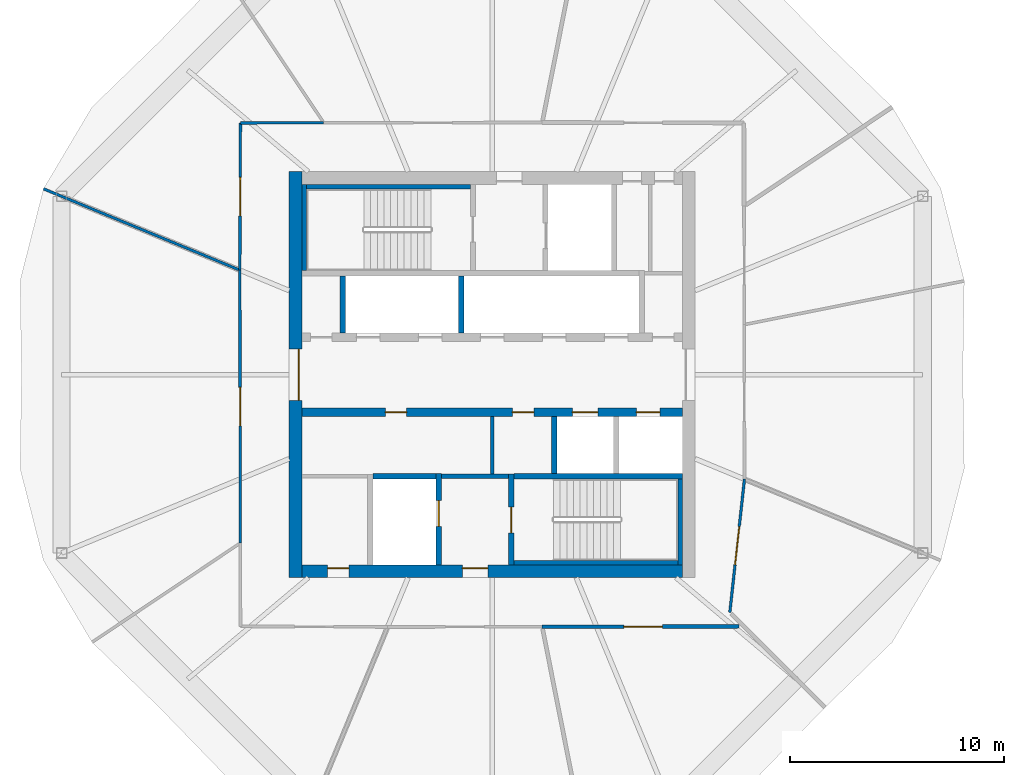
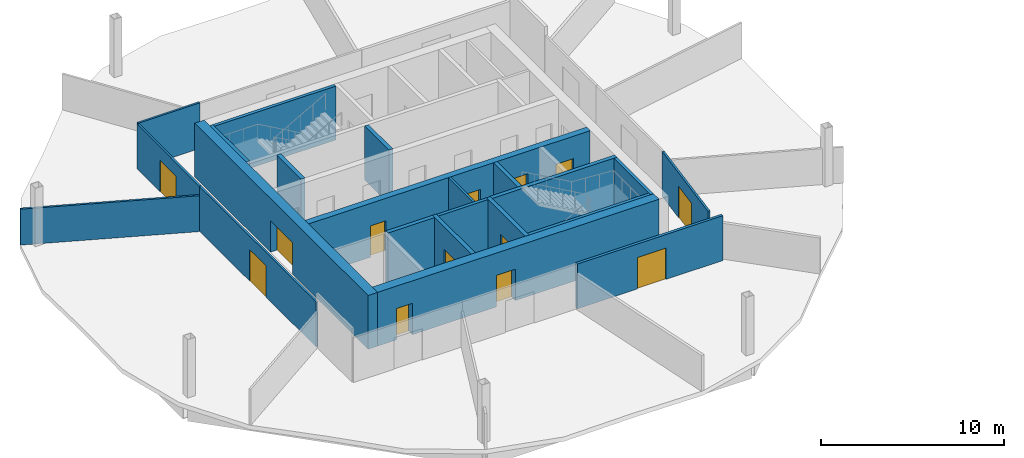
# One storey, part 5 of 10: 22 walls, 13 doors, 13 openings.
"""IFC4 building model written with IfcOpenShell, lengths in metres."""

from ifc_helpers import new_model, si_unit, direction, frame, frame_2d, origin, place, context, subcontext, project, spatial, rectangle, extrude, material, layer, layer_set, type_object, element, fill, save


model = new_model("IFC4")

# Units and contexts
model_context = context("Model", 3, precision=1e-05, world=origin(), true_north=direction((0.0, 1.0)))
body_context = subcontext(model_context, "Body", "Model", "MODEL_VIEW")
ifc_project = project(units=[si_unit("LENGTHUNIT", "METRE"), si_unit("AREAUNIT", "SQUARE_METRE"), si_unit("VOLUMEUNIT", "CUBIC_METRE"), si_unit("PLANEANGLEUNIT", "RADIAN"), si_unit("MASSUNIT", "GRAM", prefix="KILO")], contexts=[model_context])

# Site, building, storey
site_placement = place(None, origin())
site = spatial("IfcSite", under=ifc_project, at=site_placement, CompositionType="ELEMENT")
building_placement = place(site_placement, origin())
building = spatial("IfcBuilding", under=site, at=building_placement, Name="Ogive Gate Towers", CompositionType="ELEMENT")
storey_placement = place(building_placement, frame((0.0, 0.0, 173.39990234375)))
storey = spatial("IfcBuildingStorey", under=building, at=storey_placement, Name="L41", CompositionType="ELEMENT", Elevation=173.39990234375)

# Wall, opening, door
ifc_material_1 = material(Name="Gypsum board acoustic partition")
ifc_layer_1 = layer(ifc_material_1, 0.175048828125)
ifc_layer_set_1 = layer_set([ifc_layer_1], Name="Acoustic partition 175")
wall_type_1 = type_object("IfcWallType", Name="Acoustic partition 175", PredefinedType="PARTITIONING", material=ifc_layer_set_1)
wall_1_placement = place(storey_placement, frame((-33.656982421875, -11.80029296875, 0.0), z_axis=(0.0, 0.0, 1.0), x_axis=(0.999997698004, 0.002145690425, 0.0)))
wall_1 = element("IfcWall", 1, at=wall_1_placement, inside=storey, type_object=wall_type_1, Name="Partition T1-L41-018", PredefinedType="PARTITIONING", context=body_context, shape_type="SweptSolid", body=[
    extrude(rectangle(XDim=9.21630859375, YDim=0.175048828125, at=frame_2d((4.608154296875, 0.0))), origin(), (0.0, 0.0, 1.0), 3.0),
])
opening_1_placement = place(wall_1_placement, frame((3.819091796875, 0.0, 0.0)))
opening_1 = element("IfcOpeningElement", 2, at=opening_1_placement, cuts=wall_1, Name="Opening T1-L41-D06", PredefinedType="OPENING", context=body_context, shape_type="SweptSolid", body=[
    extrude(rectangle(XDim=1.800048828125, YDim=2.10009765625, at=frame_2d((0.89990234375, 1.050048828125))), frame((0.0, 0.09765625, 0.0), z_axis=(0.0, -1.0, 0.0), x_axis=(1.0, 0.0, 0.0)), (0.0, 0.0, 1.0), 0.195068359375),
])
ifc_material_2 = material(Name="Timber door", Category="wood")
door_type_1 = type_object("IfcDoorType", Name="Door pair 1800", OperationType="NOTDEFINED", PredefinedType="DOOR", material=ifc_material_2)
door_1_placement = place(opening_1_placement, origin())
door_1 = element("IfcDoor", 3, at=door_1_placement, inside=storey, type_object=door_type_1, Name="Door T1-L41-D06", OperationType="DOUBLE_DOOR_DOUBLE_SWING", OverallHeight=2.10009765625, OverallWidth=1.800048828125, PredefinedType="DOOR", context=body_context, shape_type="SweptSolid", body=[
    extrude(rectangle(XDim=1.800048828125, YDim=2.10009765625, at=frame_2d((0.89990234375, 1.050048828125))), frame((0.0, 0.02490234375, 0.0), z_axis=(0.0, -1.0, 0.0), x_axis=(1.0, 0.0, 0.0)), (0.0, 0.0, 1.0), 0.050048828125),
])
fill(opening_1, door_1)

# Wall
ifc_material_3 = material(Name="Masonry blockwork", Category="masonry")
ifc_layer_2 = layer(ifc_material_3, 0.199951171875)
ifc_layer_set_2 = layer_set([ifc_layer_2], Name="Blockwork wall 200 mm")
wall_type_2 = type_object("IfcWallType", Name="Blockwork wall 200 mm", PredefinedType="PARTITIONING", material=ifc_layer_set_2)
wall_2_placement = place(storey_placement, frame((-38.375, -4.75, 0.0), z_axis=(0.0, 0.0, 1.0), x_axis=(1.0, 0.0, 0.0)))
element("IfcWall", 4, at=wall_2_placement, inside=storey, type_object=wall_type_2, Name="T1 L41 Blockwork wall 200 mm", PredefinedType="PARTITIONING", context=body_context, shape_type="SweptSolid", body=[
    extrude(rectangle(XDim=3.14990234375, YDim=0.199951171875, at=frame_2d((1.574951171875, 0.0))), origin(), (0.0, 0.0, 1.0), 3.60009765625),
])

# Wall, openings, doors
ifc_material_4 = material(Name="Concrete C60/75", Category="concrete")
ifc_layer_3 = layer(ifc_material_4, 0.60009765625)
ifc_layer_set_3 = layer_set([ifc_layer_3], Name="Core wall 600 mm")
wall_type_3 = type_object("IfcWallType", Name="Core wall 600 mm", PredefinedType="SHEAR", material=ifc_layer_set_3)
wall_3_placement = place(storey_placement, frame((-44.89990234375, -9.199951171875, 0.0), z_axis=(0.0, 0.0, 1.0), x_axis=(1.0, 0.0, 0.0)))
wall_3 = element("IfcWall", 5, at=wall_3_placement, inside=storey, type_object=wall_type_3, Name="T1 L41 Core wall 600 mm", PredefinedType="SHEAR", context=body_context, shape_type="SweptSolid", body=[
    extrude(rectangle(XDim=17.7998046875, YDim=0.60009765625, at=frame_2d((8.89990234375, 0.0))), origin(), (0.0, 0.0, 1.0), 3.60009765625),
])
opening_2_placement = place(wall_3_placement, frame((7.5, 0.0, 0.0)))
opening_2 = element("IfcOpeningElement", 6, at=opening_2_placement, cuts=wall_3, Name="Opening KD-T1-L41-19", PredefinedType="OPENING", context=body_context, shape_type="SweptSolid", body=[
    extrude(rectangle(XDim=1.199951171875, YDim=2.10009765625, at=frame_2d((0.60009765625, 1.050048828125))), frame((0.0, 0.31005859375, 0.0), z_axis=(0.0, -1.0, 0.0), x_axis=(1.0, 0.0, 0.0)), (0.0, 0.0, 1.0), 0.6201171875),
])
opening_3_placement = place(wall_3_placement, frame((1.199951171875, 0.0, 0.0)))
opening_3 = element("IfcOpeningElement", 7, at=opening_3_placement, cuts=wall_3, Name="Opening KD-T1-L41-22", PredefinedType="OPENING", context=body_context, shape_type="SweptSolid", body=[
    extrude(rectangle(XDim=1.0, YDim=2.10009765625, at=frame_2d((0.5, 1.050048828125))), frame((0.0, 0.31005859375, 0.0), z_axis=(0.0, -1.0, 0.0), x_axis=(1.0, 0.0, 0.0)), (0.0, 0.0, 1.0), 0.6201171875),
])
door_type_2 = type_object("IfcDoorType", Name="Accessible WC door 1000 x 2100", OperationType="NOTDEFINED", PredefinedType="DOOR", material=ifc_material_2)
door_2_placement = place(opening_3_placement, origin())
door_2 = element("IfcDoor", 8, at=door_2_placement, inside=storey, type_object=door_type_2, Name="T1 L41 Core door", OperationType="SINGLE_SWING_LEFT", OverallHeight=2.10009765625, OverallWidth=1.0, PredefinedType="DOOR", context=body_context, shape_type="SweptSolid", body=[
    extrude(rectangle(XDim=1.0, YDim=2.10009765625, at=frame_2d((0.5, 1.050048828125))), frame((0.0, 0.1748046875, 0.0), z_axis=(0.0, -1.0, 0.0), x_axis=(1.0, 0.0, 0.0)), (0.0, 0.0, 1.0), 0.050048828125),
])
fill(opening_3, door_2)
ifc_material_5 = material(Name="Steel fire door", Category="steel")
door_type_3 = type_object("IfcDoorType", Name="Core door FD60S 1200 x 2100", OperationType="NOTDEFINED", PredefinedType="DOOR", material=ifc_material_5)
door_3_placement = place(opening_2_placement, origin())
door_3 = element("IfcDoor", 9, at=door_3_placement, inside=storey, type_object=door_type_3, Name="T1 L41 Fire-fighting lobby door", OperationType="SINGLE_SWING_RIGHT", OverallHeight=2.10009765625, OverallWidth=1.199951171875, PredefinedType="DOOR", context=body_context, shape_type="SweptSolid", body=[
    extrude(rectangle(XDim=1.199951171875, YDim=2.10009765625, at=frame_2d((0.60009765625, 1.050048828125))), frame((0.0, 0.1748046875, 0.0), z_axis=(0.0, -1.0, 0.0), x_axis=(1.0, 0.0, 0.0)), (0.0, 0.0, 1.0), 0.050048828125),
])
fill(opening_2, door_3)

# Wall, opening, door
wall_4_placement = place(storey_placement, frame((-45.199951171875, -9.5, 0.0), z_axis=(0.0, 0.0, 1.0), x_axis=(0.0, 1.0, 0.0)))
wall_4 = element("IfcWall", 10, at=wall_4_placement, inside=storey, type_object=wall_type_3, Name="T1 L41 Core wall 600 mm", PredefinedType="SHEAR", context=body_context, shape_type="SweptSolid", body=[
    extrude(rectangle(XDim=19.0, YDim=0.60009765625, at=frame_2d((9.5, 0.0))), origin(), (0.0, 0.0, 1.0), 3.60009765625),
])
opening_4_placement = place(wall_4_placement, frame((8.300048828125, 0.0, 0.0)))
opening_4 = element("IfcOpeningElement", 11, at=opening_4_placement, cuts=wall_4, Name="Opening KD-T1-L41-01", PredefinedType="OPENING", context=body_context, shape_type="SweptSolid", body=[
    extrude(rectangle(XDim=2.39990234375, YDim=2.10009765625, at=frame_2d((1.199951171875, 1.050048828125))), frame((0.0, 0.31005859375, 0.0), z_axis=(0.0, -1.0, 0.0), x_axis=(1.0, 0.0, 0.0)), (0.0, 0.0, 1.0), 0.6201171875),
])
door_type_4 = type_object("IfcDoorType", Name="Core double door FD60S 2400 x 2100", OperationType="DOUBLE_DOOR_SINGLE_SWING", PredefinedType="DOOR", material=ifc_material_5)
door_4_placement = place(opening_4_placement, origin())
door_4 = element("IfcDoor", 12, at=door_4_placement, inside=storey, type_object=door_type_4, Name="T1 L41 Core door double", OperationType="DOUBLE_DOOR_SINGLE_SWING", OverallHeight=2.10009765625, OverallWidth=2.39990234375, PredefinedType="DOOR", context=body_context, shape_type="SweptSolid", body=[
    extrude(rectangle(XDim=2.39990234375, YDim=2.10009765625, at=frame_2d((1.199951171875, 1.050048828125))), frame((0.0, -0.125, 0.0), z_axis=(0.0, -1.0, 0.0), x_axis=(1.0, 0.0, 0.0)), (0.0, 0.0, 1.0), 0.050048828125),
])
fill(opening_4, door_4)

# Wall
ifc_material_6 = material(Name="Gypsum board partition")
ifc_layer_4 = layer(ifc_material_6, 0.125)
ifc_layer_set_4 = layer_set([ifc_layer_4], Name="Partition 125")
wall_type_4 = type_object("IfcWallType", Name="Partition 125", PredefinedType="PARTITIONING", material=ifc_layer_set_4)
wall_5_placement = place(storey_placement, frame((-56.999755859375, 8.698486328125, 0.0), z_axis=(0.0, 0.0, 1.0), x_axis=(0.923875671633, -0.382692753216, 0.0)))
element("IfcWall", 13, at=wall_5_placement, inside=storey, type_object=wall_type_4, Name="Partition T1-L41-005", PredefinedType="PARTITIONING", context=body_context, shape_type="SweptSolid", body=[
    extrude(rectangle(XDim=9.886474609375, YDim=0.125, at=frame_2d((4.943359375, 0.0))), origin(), (0.0, 0.0, 1.0), 2.400146484375),
])

# Wall, opening, door
wall_6_placement = place(storey_placement, frame((-47.780029296875, 11.780029296875, 0.0), z_axis=(0.0, 0.0, 1.0), x_axis=(-0.004075523441, -0.99999169502, 0.0)))
wall_6 = element("IfcWall", 14, at=wall_6_placement, inside=storey, type_object=wall_type_4, Name="Partition T1-L41-012", PredefinedType="PARTITIONING", context=body_context, shape_type="SweptSolid", body=[
    extrude(rectangle(XDim=6.888916015625, YDim=0.125, at=frame_2d((3.4443359375, 0.0))), origin(), (0.0, 0.0, 1.0), 3.0),
])
opening_5_placement = place(wall_6_placement, frame((2.5439453125, 0.0, 0.0)))
opening_5 = element("IfcOpeningElement", 15, at=opening_5_placement, cuts=wall_6, Name="Opening T1-L41-D02", PredefinedType="OPENING", context=body_context, shape_type="SweptSolid", body=[
    extrude(rectangle(XDim=1.800048828125, YDim=2.10009765625, at=frame_2d((0.89990234375, 1.050048828125))), frame((0.0, 0.072509765625, 0.0), z_axis=(0.0, -1.0, 0.0), x_axis=(1.0, 0.0, 0.0)), (0.0, 0.0, 1.0), 0.14501953125),
])
door_5_placement = place(opening_5_placement, origin())
door_5 = element("IfcDoor", 16, at=door_5_placement, inside=storey, type_object=door_type_1, Name="Door T1-L41-D02", OperationType="DOUBLE_DOOR_DOUBLE_SWING", OverallHeight=2.10009765625, OverallWidth=1.800048828125, PredefinedType="DOOR", context=body_context, shape_type="SweptSolid", body=[
    extrude(rectangle(XDim=1.800048828125, YDim=2.10009765625, at=frame_2d((0.89990234375, 1.050048828125))), frame((0.0, 0.02490234375, 0.0), z_axis=(0.0, -1.0, 0.0), x_axis=(1.0, 0.0, 0.0)), (0.0, 0.0, 1.0), 0.050048828125),
])
fill(opening_5, door_5)

# Wall
wall_7_placement = place(storey_placement, frame((-43.882568359375, 11.787841796875, 0.0), z_axis=(0.0, 0.0, 1.0), x_axis=(-0.999997990976, -0.002004506121, 0.0)))
element("IfcWall", 17, at=wall_7_placement, inside=storey, type_object=wall_type_4, Name="Partition T1-L41-013", PredefinedType="PARTITIONING", context=body_context, shape_type="SweptSolid", body=[
    extrude(rectangle(XDim=3.8974609375, YDim=0.125, at=frame_2d((1.94873046875, 0.0))), origin(), (0.0, 0.0, 1.0), 3.050048828125),
])

# Wall, opening, door
wall_8_placement = place(storey_placement, frame((-47.80810546875, 4.89111328125, 0.0), z_axis=(0.0, 0.0, 1.0), x_axis=(0.001586359121, -0.999998741732, 0.0)))
wall_8 = element("IfcWall", 18, at=wall_8_placement, inside=storey, type_object=wall_type_4, Name="Partition T1-L41-014", PredefinedType="PARTITIONING", context=body_context, shape_type="SweptSolid", body=[
    extrude(rectangle(XDim=12.773681640625, YDim=0.125, at=frame_2d((6.38671875, 0.0))), origin(), (0.0, 0.0, 1.0), 3.0),
])
opening_6_placement = place(wall_8_placement, frame((5.487060546875, 0.0, 0.0)))
opening_6 = element("IfcOpeningElement", 19, at=opening_6_placement, cuts=wall_8, Name="Opening T1-L41-D03", PredefinedType="OPENING", context=body_context, shape_type="SweptSolid", body=[
    extrude(rectangle(XDim=1.800048828125, YDim=2.10009765625, at=frame_2d((0.89990234375, 1.050048828125))), frame((0.0, 0.072509765625, 0.0), z_axis=(0.0, -1.0, 0.0), x_axis=(1.0, 0.0, 0.0)), (0.0, 0.0, 1.0), 0.14501953125),
])
door_6_placement = place(opening_6_placement, origin())
door_6 = element("IfcDoor", 20, at=door_6_placement, inside=storey, type_object=door_type_1, Name="Door T1-L41-D03", OperationType="DOUBLE_DOOR_DOUBLE_SWING", OverallHeight=2.10009765625, OverallWidth=1.800048828125, PredefinedType="DOOR", context=body_context, shape_type="SweptSolid", body=[
    extrude(rectangle(XDim=1.800048828125, YDim=2.10009765625, at=frame_2d((0.89990234375, 1.050048828125))), frame((0.0, 0.02490234375, 0.0), z_axis=(0.0, -1.0, 0.0), x_axis=(1.0, 0.0, 0.0)), (0.0, 0.0, 1.0), 0.050048828125),
])
fill(opening_6, door_6)

wall_9_placement = place(storey_placement, frame((-24.877197265625, -11.122802734375, 0.0), z_axis=(0.0, 0.0, 1.0), x_axis=(0.109311621404, 0.994007529864, 0.0)))
wall_9 = element("IfcWall", 21, at=wall_9_placement, inside=storey, type_object=wall_type_4, Name="Partition T1-L41-019", PredefinedType="PARTITIONING", context=body_context, shape_type="SweptSolid", body=[
    extrude(rectangle(XDim=6.269287109375, YDim=0.125, at=frame_2d((3.134765625, 0.0))), origin(), (0.0, 0.0, 1.0), 3.0),
])
opening_7_placement = place(wall_9_placement, frame((2.235107421875, 0.0, 0.0)))
opening_7 = element("IfcOpeningElement", 22, at=opening_7_placement, cuts=wall_9, Name="Opening T1-L41-D07", PredefinedType="OPENING", context=body_context, shape_type="SweptSolid", body=[
    extrude(rectangle(XDim=1.800048828125, YDim=2.10009765625, at=frame_2d((0.89990234375, 1.050048828125))), frame((0.0, 0.072509765625, 0.0), z_axis=(0.0, -1.0, 0.0), x_axis=(1.0, 0.0, 0.0)), (0.0, 0.0, 1.0), 0.14501953125),
])
door_7_placement = place(opening_7_placement, origin())
door_7 = element("IfcDoor", 23, at=door_7_placement, inside=storey, type_object=door_type_1, Name="Door T1-L41-D07", OperationType="DOUBLE_DOOR_DOUBLE_SWING", OverallHeight=2.10009765625, OverallWidth=1.800048828125, PredefinedType="DOOR", context=body_context, shape_type="SweptSolid", body=[
    extrude(rectangle(XDim=1.800048828125, YDim=2.10009765625, at=frame_2d((0.89990234375, 1.050048828125))), frame((0.0, 0.02490234375, 0.0), z_axis=(0.0, -1.0, 0.0), x_axis=(1.0, 0.0, 0.0)), (0.0, 0.0, 1.0), 0.050048828125),
])
fill(opening_7, door_7)

# Walls
ifc_layer_5 = layer(ifc_material_6, 0.14990234375)
ifc_layer_set_5 = layer_set([ifc_layer_5], Name="Room partition 150 mm")
wall_type_5 = type_object("IfcWallType", Name="Room partition 150 mm", PredefinedType="PARTITIONING", material=ifc_layer_set_5)
wall_10_placement = place(storey_placement, frame((-36.0, -4.64990234375, 0.0), z_axis=(0.0, 0.0, 1.0), x_axis=(0.0, 1.0, 0.0)))
element("IfcWall", 24, at=wall_10_placement, inside=storey, type_object=wall_type_5, Name="T1 L41 Room partition 150 mm", PredefinedType="PARTITIONING", context=body_context, shape_type="SweptSolid", body=[
    extrude(rectangle(XDim=2.699951171875, YDim=0.14990234375, at=frame_2d((1.35009765625, 0.0))), origin(), (0.0, 0.0, 1.0), 3.60009765625),
])
ifc_layer_6 = layer(ifc_material_4, 0.25)
ifc_layer_set_6 = layer_set([ifc_layer_6], Name="Shaft wall 250 mm")
wall_type_6 = type_object("IfcWallType", Name="Shaft wall 250 mm", PredefinedType="SHEAR", material=ifc_layer_set_6)
wall_11_placement = place(storey_placement, frame((-41.574951171875, -4.75, 0.0), z_axis=(0.0, 0.0, 1.0), x_axis=(1.0, 0.0, 0.0)))
element("IfcWall", 25, at=wall_11_placement, inside=storey, type_object=wall_type_6, Name="T1 L41 Shaft wall 250 mm", PredefinedType="SHEAR", context=body_context, shape_type="SweptSolid", body=[
    extrude(rectangle(XDim=2.949951171875, YDim=0.25, at=frame_2d((1.47509765625, 0.0))), origin(), (0.0, 0.0, 1.0), 3.60009765625),
])
wall_12_placement = place(storey_placement, frame((-34.97509765625, -4.75, 0.0), z_axis=(0.0, 0.0, 1.0), x_axis=(1.0, 0.0, 0.0)))
element("IfcWall", 26, at=wall_12_placement, inside=storey, type_object=wall_type_6, Name="T1 L41 Shaft wall 250 mm", PredefinedType="SHEAR", context=body_context, shape_type="SweptSolid", body=[
    extrude(rectangle(XDim=7.875, YDim=0.25, at=frame_2d((3.9375, 0.0))), origin(), (0.0, 0.0, 1.0), 3.60009765625),
])
wall_13_placement = place(storey_placement, frame((-43.0, 1.949951171875, 0.0), z_axis=(0.0, 0.0, 1.0), x_axis=(0.0, 1.0, 0.0)))
element("IfcWall", 27, at=wall_13_placement, inside=storey, type_object=wall_type_6, Name="T1 L41 Shaft wall 250 mm", PredefinedType="SHEAR", context=body_context, shape_type="SweptSolid", body=[
    extrude(rectangle(XDim=2.675048828125, YDim=0.25, at=frame_2d((1.33740234375, 0.0))), origin(), (0.0, 0.0, 1.0), 3.60009765625),
])

# Wall, opening, door
wall_14_placement = place(storey_placement, frame((-38.5, -8.89990234375, 0.0), z_axis=(0.0, 0.0, 1.0), x_axis=(0.0, 1.0, 0.0)))
wall_14 = element("IfcWall", 28, at=wall_14_placement, inside=storey, type_object=wall_type_6, Name="T1 L41 Shaft wall 250 mm", PredefinedType="SHEAR", context=body_context, shape_type="SweptSolid", body=[
    extrude(rectangle(XDim=4.27490234375, YDim=0.25, at=frame_2d((2.137451171875, 0.0))), origin(), (0.0, 0.0, 1.0), 3.60009765625),
])
opening_8_placement = place(wall_14_placement, frame((1.800048828125, 0.0, 0.0)))
opening_8 = element("IfcOpeningElement", 29, at=opening_8_placement, cuts=wall_14, Name="Opening LD-T1-L41-13", PredefinedType="OPENING", context=body_context, shape_type="SweptSolid", body=[
    extrude(rectangle(XDim=1.199951171875, YDim=2.10009765625, at=frame_2d((0.60009765625, 1.050048828125))), frame((0.0, 0.135009765625, 0.0), z_axis=(0.0, -1.0, 0.0), x_axis=(1.0, 0.0, 0.0)), (0.0, 0.0, 1.0), 0.27001953125),
])
ifc_material_7 = material(Name="Stainless steel landing door", Category="steel")
door_type_5 = type_object("IfcDoorType", Name="Landing door 1200 x 2100", OperationType="SLIDING_TO_LEFT", PredefinedType="DOOR", material=ifc_material_7)
door_8_placement = place(opening_8_placement, origin())
door_8 = element("IfcDoor", 30, at=door_8_placement, inside=storey, type_object=door_type_5, Name="T1 L41 Lift landing door FF2", OperationType="SLIDING_TO_LEFT", OverallHeight=2.10009765625, OverallWidth=1.199951171875, PredefinedType="DOOR", context=body_context, shape_type="SweptSolid", body=[
    extrude(rectangle(XDim=1.199951171875, YDim=2.10009765625, at=frame_2d((0.60009765625, 1.050048828125))), frame((0.0, 0.02490234375, 0.0), z_axis=(0.0, -1.0, 0.0), x_axis=(1.0, 0.0, 0.0)), (0.0, 0.0, 1.0), 0.050048828125),
])
fill(opening_8, door_8)

# Wall
wall_15_placement = place(storey_placement, frame((-37.449951171875, 1.949951171875, 0.0), z_axis=(0.0, 0.0, 1.0), x_axis=(0.0, 1.0, 0.0)))
element("IfcWall", 31, at=wall_15_placement, inside=storey, type_object=wall_type_6, Name="T1 L41 Shaft wall 250 mm", PredefinedType="SHEAR", context=body_context, shape_type="SweptSolid", body=[
    extrude(rectangle(XDim=2.675048828125, YDim=0.25, at=frame_2d((1.33740234375, 0.0))), origin(), (0.0, 0.0, 1.0), 3.60009765625),
])

# Wall, opening, door
wall_16_placement = place(storey_placement, frame((-35.10009765625, -8.89990234375, 0.0), z_axis=(0.0, 0.0, 1.0), x_axis=(0.0, 1.0, 0.0)))
wall_16 = element("IfcWall", 32, at=wall_16_placement, inside=storey, type_object=wall_type_6, Name="T1 L41 Shaft wall 250 mm", PredefinedType="SHEAR", context=body_context, shape_type="SweptSolid", body=[
    extrude(rectangle(XDim=4.25, YDim=0.25, at=frame_2d((2.125, 0.0))), origin(), (0.0, 0.0, 1.0), 3.60009765625),
])
opening_9_placement = place(wall_16_placement, frame((1.5, 0.0, 0.0)))
opening_9 = element("IfcOpeningElement", 33, at=opening_9_placement, cuts=wall_16, Name="Opening KD-T1-L41-17", PredefinedType="OPENING", context=body_context, shape_type="SweptSolid", body=[
    extrude(rectangle(XDim=1.199951171875, YDim=2.10009765625, at=frame_2d((0.60009765625, 1.050048828125))), frame((0.0, 0.135009765625, 0.0), z_axis=(0.0, -1.0, 0.0), x_axis=(1.0, 0.0, 0.0)), (0.0, 0.0, 1.0), 0.27001953125),
])
door_9_placement = place(opening_9_placement, origin())
door_9 = element("IfcDoor", 34, at=door_9_placement, inside=storey, type_object=door_type_3, Name="T1 L41 Stair door", OperationType="SINGLE_SWING_RIGHT", OverallHeight=2.10009765625, OverallWidth=1.199951171875, PredefinedType="DOOR", context=body_context, shape_type="SweptSolid", body=[
    extrude(rectangle(XDim=1.199951171875, YDim=2.10009765625, at=frame_2d((0.60009765625, 1.050048828125))), frame((0.0, 0.02490234375, 0.0), z_axis=(0.0, -1.0, 0.0), x_axis=(1.0, 0.0, 0.0)), (0.0, 0.0, 1.0), 0.050048828125),
])
fill(opening_9, door_9)

# Wall
wall_17_placement = place(storey_placement, frame((-33.10009765625, -4.625, 0.0), z_axis=(0.0, 0.0, 1.0), x_axis=(0.0, 1.0, 0.0)))
element("IfcWall", 35, at=wall_17_placement, inside=storey, type_object=wall_type_6, Name="T1 L41 Shaft wall 250 mm", PredefinedType="SHEAR", context=body_context, shape_type="SweptSolid", body=[
    extrude(rectangle(XDim=2.675048828125, YDim=0.25, at=frame_2d((1.33740234375, 0.0))), origin(), (0.0, 0.0, 1.0), 3.60009765625),
])

# Wall, openings, doors
ifc_layer_7 = layer(ifc_material_4, 0.39990234375)
ifc_layer_set_7 = layer_set([ifc_layer_7], Name="Spine wall 400 mm")
wall_type_7 = type_object("IfcWallType", Name="Spine wall 400 mm", PredefinedType="SHEAR", material=ifc_layer_set_7)
wall_18_placement = place(storey_placement, frame((-44.89990234375, -1.75, 0.0), z_axis=(0.0, 0.0, 1.0), x_axis=(1.0, 0.0, 0.0)))
wall_18 = element("IfcWall", 36, at=wall_18_placement, inside=storey, type_object=wall_type_7, Name="T1 L41 Spine wall 400 mm", PredefinedType="SHEAR", context=body_context, shape_type="SweptSolid", body=[
    extrude(rectangle(XDim=17.7998046875, YDim=0.39990234375, at=frame_2d((8.89990234375, 0.0))), origin(), (0.0, 0.0, 1.0), 3.60009765625),
])
opening_10_placement = place(wall_18_placement, frame((12.64990234375, 0.0, 0.0)))
opening_10 = element("IfcOpeningElement", 37, at=opening_10_placement, cuts=wall_18, Name="Opening LD-T1-L41-10", PredefinedType="OPENING", context=body_context, shape_type="SweptSolid", body=[
    extrude(rectangle(XDim=1.199951171875, YDim=2.10009765625, at=frame_2d((0.60009765625, 1.050048828125))), frame((0.0, 0.2099609375, 0.0), z_axis=(0.0, -1.0, 0.0), x_axis=(1.0, 0.0, 0.0)), (0.0, 0.0, 1.0), 0.419921875),
])
opening_11_placement = place(wall_18_placement, frame((15.64990234375, 0.0, 0.0)))
opening_11 = element("IfcOpeningElement", 38, at=opening_11_placement, cuts=wall_18, Name="Opening LD-T1-L41-11", PredefinedType="OPENING", context=body_context, shape_type="SweptSolid", body=[
    extrude(rectangle(XDim=1.10009765625, YDim=2.10009765625, at=frame_2d((0.550048828125, 1.050048828125))), frame((0.0, 0.2099609375, 0.0), z_axis=(0.0, -1.0, 0.0), x_axis=(1.0, 0.0, 0.0)), (0.0, 0.0, 1.0), 0.419921875),
])
opening_12_placement = place(wall_18_placement, frame((3.89990234375, 0.0, 0.0)))
opening_12 = element("IfcOpeningElement", 39, at=opening_12_placement, cuts=wall_18, Name="Opening KD-T1-L41-14", PredefinedType="OPENING", context=body_context, shape_type="SweptSolid", body=[
    extrude(rectangle(XDim=1.0, YDim=2.10009765625, at=frame_2d((0.5, 1.050048828125))), frame((0.0, 0.2099609375, 0.0), z_axis=(0.0, -1.0, 0.0), x_axis=(1.0, 0.0, 0.0)), (0.0, 0.0, 1.0), 0.419921875),
])
opening_13_placement = place(wall_18_placement, frame((9.85009765625, 0.0, 0.0)))
opening_13 = element("IfcOpeningElement", 40, at=opening_13_placement, cuts=wall_18, Name="Opening KD-T1-L41-15", PredefinedType="OPENING", context=body_context, shape_type="SweptSolid", body=[
    extrude(rectangle(XDim=1.0, YDim=2.10009765625, at=frame_2d((0.5, 1.050048828125))), frame((0.0, 0.2099609375, 0.0), z_axis=(0.0, -1.0, 0.0), x_axis=(1.0, 0.0, 0.0)), (0.0, 0.0, 1.0), 0.419921875),
])
door_type_6 = type_object("IfcDoorType", Name="Core door FD60S 1000 x 2100", OperationType="NOTDEFINED", PredefinedType="DOOR", material=ifc_material_5)
door_10_placement = place(opening_12_placement, origin())
door_10 = element("IfcDoor", 41, at=door_10_placement, inside=storey, type_object=door_type_6, Name="T1 L41 Core door", OperationType="SINGLE_SWING_LEFT", OverallHeight=2.10009765625, OverallWidth=1.0, PredefinedType="DOOR", context=body_context, shape_type="SweptSolid", body=[
    extrude(rectangle(XDim=1.0, YDim=2.10009765625, at=frame_2d((0.5, 1.050048828125))), frame((0.0, 0.02490234375, 0.0), z_axis=(0.0, -1.0, 0.0), x_axis=(1.0, 0.0, 0.0)), (0.0, 0.0, 1.0), 0.050048828125),
])
fill(opening_12, door_10)
door_11_placement = place(opening_13_placement, origin())
door_11 = element("IfcDoor", 42, at=door_11_placement, inside=storey, type_object=door_type_6, Name="T1 L41 Core door", OperationType="SINGLE_SWING_RIGHT", OverallHeight=2.10009765625, OverallWidth=1.0, PredefinedType="DOOR", context=body_context, shape_type="SweptSolid", body=[
    extrude(rectangle(XDim=1.0, YDim=2.10009765625, at=frame_2d((0.5, 1.050048828125))), frame((0.0, 0.02490234375, 0.0), z_axis=(0.0, -1.0, 0.0), x_axis=(1.0, 0.0, 0.0)), (0.0, 0.0, 1.0), 0.050048828125),
])
fill(opening_13, door_11)
door_type_7 = type_object("IfcDoorType", Name="Landing door 1100 x 2100", OperationType="SLIDING_TO_LEFT", PredefinedType="DOOR", material=ifc_material_7)
door_12_placement = place(opening_11_placement, origin())
door_12 = element("IfcDoor", 43, at=door_12_placement, inside=storey, type_object=door_type_7, Name="T1 L41 Lift landing door B6", OperationType="SLIDING_TO_LEFT", OverallHeight=2.10009765625, OverallWidth=1.10009765625, PredefinedType="DOOR", context=body_context, shape_type="SweptSolid", body=[
    extrude(rectangle(XDim=1.10009765625, YDim=2.10009765625, at=frame_2d((0.550048828125, 1.050048828125))), frame((0.0, 0.02490234375, 0.0), z_axis=(0.0, -1.0, 0.0), x_axis=(1.0, 0.0, 0.0)), (0.0, 0.0, 1.0), 0.050048828125),
])
fill(opening_11, door_12)
door_13_placement = place(opening_10_placement, origin())
door_13 = element("IfcDoor", 44, at=door_13_placement, inside=storey, type_object=door_type_5, Name="T1 L41 Lift landing door SVC", OperationType="SLIDING_TO_LEFT", OverallHeight=2.10009765625, OverallWidth=1.199951171875, PredefinedType="DOOR", context=body_context, shape_type="SweptSolid", body=[
    extrude(rectangle(XDim=1.199951171875, YDim=2.10009765625, at=frame_2d((0.60009765625, 1.050048828125))), frame((0.0, 0.02490234375, 0.0), z_axis=(0.0, -1.0, 0.0), x_axis=(1.0, 0.0, 0.0)), (0.0, 0.0, 1.0), 0.050048828125),
])
fill(opening_10, door_13)

# Walls
ifc_layer_8 = layer(ifc_material_4, 0.199951171875)
ifc_layer_set_8 = layer_set([ifc_layer_8], Name="Stair wall 200 mm")
wall_type_8 = type_object("IfcWallType", Name="Stair wall 200 mm", PredefinedType="SHEAR", material=ifc_layer_set_8)
for number, where, z_axis, x_axis, name in (
    (45, (-34.97509765625, -8.800048828125, 0.0), (0.0, 0.0, 1.0), (1.0, 0.0, 0.0), "T1 L41 Stair wall 200 mm"),
    (46, (-44.699951171875, 8.800048828125, 0.0), (0.0, 0.0, 1.0), (1.0, 0.0, 0.0), "T1 L41 Stair wall 200 mm"),
):
    element("IfcWall", number, at=place(storey_placement, frame(where, z_axis=z_axis, x_axis=x_axis)), inside=storey, type_object=wall_type_8, Name=name, PredefinedType="SHEAR", context=body_context, shape_type="SweptSolid", body=[
        extrude(rectangle(XDim=7.675048828125, YDim=0.199951171875, at=frame_2d((3.83740234375, 0.0))), origin(), (0.0, 0.0, 1.0), 3.60009765625),
    ])
for number, where, z_axis, x_axis, name in (
    (47, (-44.800048828125, 4.875, 0.0), (0.0, 0.0, 1.0), (0.0, 1.0, 0.0), "T1 L41 Stair wall 200 mm"),
    (48, (-27.199951171875, -8.89990234375, 0.0), (0.0, 0.0, 1.0), (0.0, 1.0, 0.0), "T1 L41 Stair wall 200 mm"),
):
    element("IfcWall", number, at=place(storey_placement, frame(where, z_axis=z_axis, x_axis=x_axis)), inside=storey, type_object=wall_type_8, Name=name, PredefinedType="SHEAR", context=body_context, shape_type="SweptSolid", body=[
        extrude(rectangle(XDim=4.02490234375, YDim=0.199951171875, at=frame_2d((2.012451171875, 0.0))), origin(), (0.0, 0.0, 1.0), 3.60009765625),
    ])

save(model, "model.ifc")
